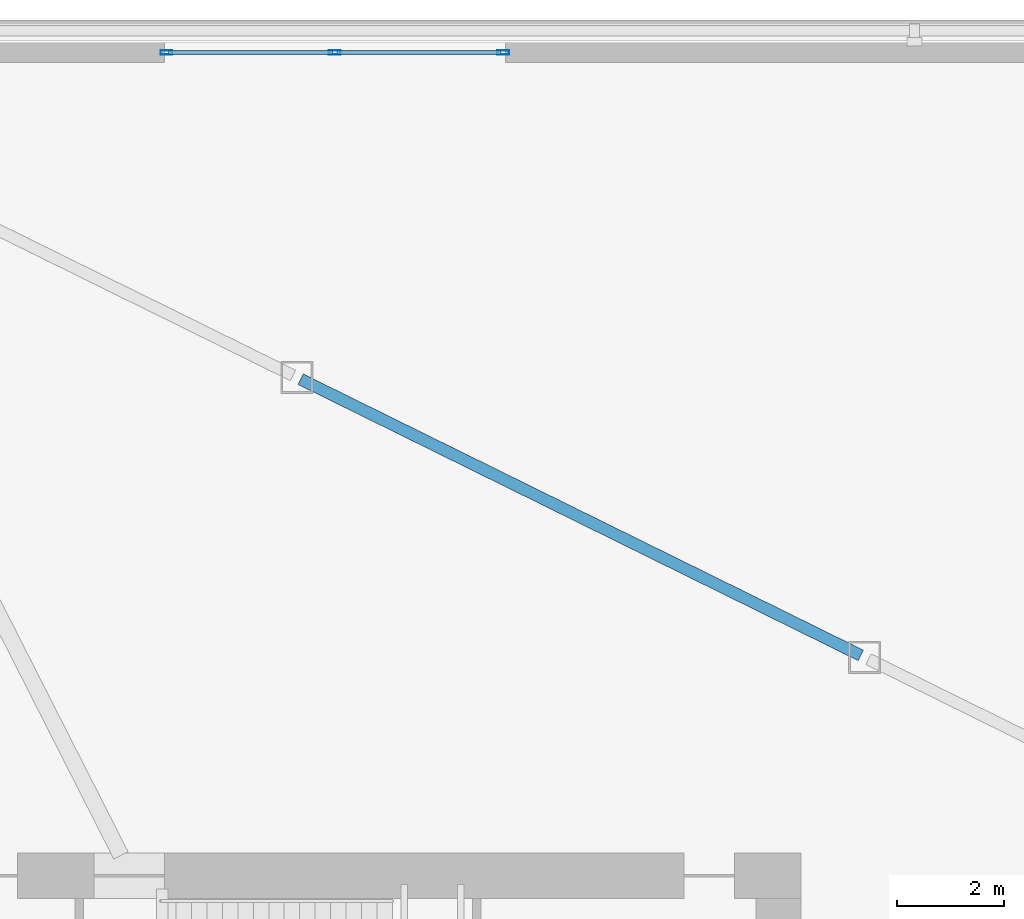
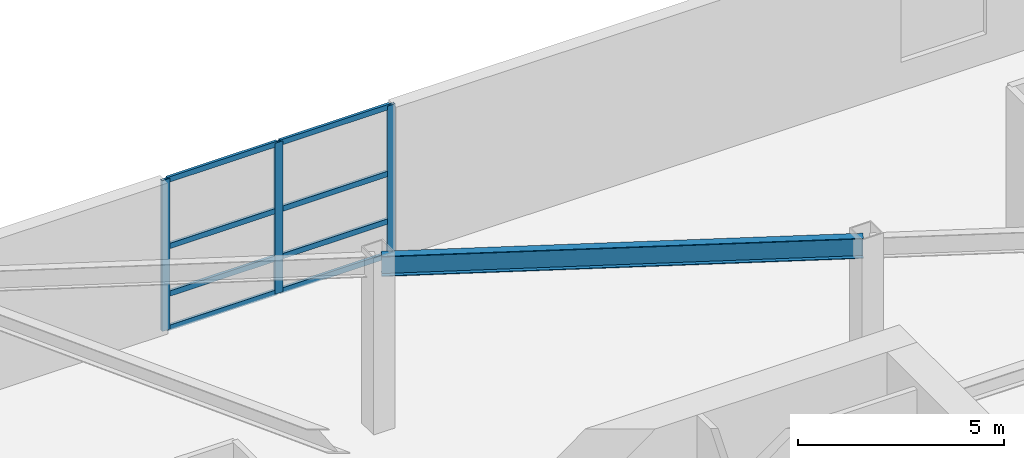
# One storey, part 6 of 15: 11 members, 1 beam, 1 element without a shape of its own.
"""IFC4 building model written with IfcOpenShell, lengths in metres."""

from ifc_helpers import new_model, si_unit, direction, frame, origin, origin_2d, place, context, subcontext, project, spatial, hollow_rectangle, i_section, extrude, source, transform, mapped, material, material_profile, profile_set, type_object, element, aggregate, save


model = new_model("IFC4")

# Units and contexts
model_context = context("Model", 3, precision=1e-05, world=origin(), true_north=direction((0.0, 1.0)))
body_context = subcontext(model_context, "Body", "Model", "MODEL_VIEW")
ifc_project = project(units=[si_unit("LENGTHUNIT", "METRE"), si_unit("AREAUNIT", "SQUARE_METRE"), si_unit("VOLUMEUNIT", "CUBIC_METRE"), si_unit("PLANEANGLEUNIT", "RADIAN"), si_unit("MASSUNIT", "GRAM", prefix="KILO")], contexts=[model_context])

# Site, building, storey
site_placement = place(None, origin())
site = spatial("IfcSite", under=ifc_project, at=site_placement, CompositionType="ELEMENT")
building_placement = place(site_placement, origin())
building = spatial("IfcBuilding", under=site, at=building_placement, Name="Olszyna Solenne Hotel", CompositionType="ELEMENT")
storey_placement = place(building_placement, frame((0.0, 0.0, 10.199951171875)))
storey = spatial("IfcBuildingStorey", under=building, at=storey_placement, Name="L02", CompositionType="ELEMENT", Elevation=10.199951171875)

# Beam
ifc_material_1 = material(Name="Steel S355J2", Category="steel")
ifc_material_profile_1 = material_profile(ifc_material_1, i_section(OverallWidth=0.219970703125, OverallDepth=0.60009765625, WebThickness=0.011962890625, FlangeThickness=0.01904296875, at=origin_2d()), Name="IPE 600", Category="load-bearing")
ifc_profile_set_1 = profile_set([ifc_material_profile_1], Name="Steel S355J2")
beam_type = type_object("IfcBeamType", Name="BM-F1", PredefinedType="BEAM", material=ifc_profile_set_1)
shared_shape_1 = source(origin(), body_context, "Body", "SweptSolid", [
    extrude(i_section(OverallWidth=0.219970703125, OverallDepth=0.60009765625, WebThickness=0.011962890625, FlangeThickness=0.01904296875, at=origin_2d()), origin(), (0.0, 0.0, 1.0), 11.718017578125),
])
beam_placement = place(storey_placement, frame((47.868896484375, 38.2578125, 4.780029296875), z_axis=(-0.896909246916, 0.442214656921, 0.0), x_axis=(-0.442214656921, -0.896909246916, 0.0)))
element("IfcBeam", 1, at=beam_placement, inside=storey, type_object=beam_type, Name="Podium ring girder BM-F1 BRG-L02-23", PredefinedType="BEAM", context=body_context, shape_type="MappedRepresentation", body=[
    mapped(shared_shape_1, transform((0.0, 0.0, 0.0), x_axis=(1.0, 0.0, 0.0), y_axis=(0.0, 1.0, 0.0), z_axis=(0.0, 0.0, 1.0), scale=1.0)),
])

# Curtain wall, members
ifc_material_2 = material(Name="Anodised bronze aluminium", Category="aluminium")
curtain_wall_type = type_object("IfcCurtainWallType", Name="CW-SYS-1", PredefinedType="NOTDEFINED", material=ifc_material_2)
curtain_wall_placement = place(storey_placement, origin())
curtain_wall = element("IfcCurtainWall", 2, at=curtain_wall_placement, inside=storey, type_object=curtain_wall_type, Name="Unitised curtain wall CW-SYS-1 CW-L02-02", PredefinedType="NOTDEFINED")
ifc_material_profile_2 = material_profile(ifc_material_2, hollow_rectangle(XDim=0.074951171875, YDim=0.159912109375, WallThickness=0.00390625, at=origin_2d()), Name="TRAN 160x75x4", Category="load-bearing")
ifc_profile_set_2 = profile_set([ifc_material_profile_2], Name="Anodised bronze aluminium")
member_type_1 = type_object("IfcMemberType", Name="CW-T1", PredefinedType="USERDEFINED", material=ifc_profile_set_2)
shared_shape_2 = source(origin(), body_context, "Body", "SweptSolid", [
    extrude(hollow_rectangle(XDim=0.074951171875, YDim=0.159912109375, WallThickness=0.00390625, at=origin_2d()), origin(), (0.0, 0.0, 1.0), 3.080078125),
])
member_1_placement = place(storey_placement, frame((34.8798828125, 49.570068359375, 0.03759765625), z_axis=(1.0, 0.0, 0.0), x_axis=(0.0, 1.0, 0.0)))
member_1 = element("IfcMember", 3, at=member_1_placement, type_object=member_type_1, Name="Curtain-wall transom CW-T1 CT-L02-02-01", ObjectType="TRANSOM", PredefinedType="USERDEFINED", context=body_context, shape_type="MappedRepresentation", body=[
    mapped(shared_shape_2, transform((0.0, 0.0, 0.0), x_axis=(1.0, 0.0, 0.0), y_axis=(0.0, 1.0, 0.0), z_axis=(0.0, 0.0, 1.0), scale=1.0)),
])
member_2_placement = place(storey_placement, frame((34.8798828125, 49.570068359375, 1.050048828125), z_axis=(1.0, 0.0, 0.0), x_axis=(0.0, 1.0, 0.0)))
member_2 = element("IfcMember", 4, at=member_2_placement, type_object=member_type_1, Name="Curtain-wall transom CW-T1 CT-L02-02-02", ObjectType="TRANSOM", PredefinedType="USERDEFINED", context=body_context, shape_type="MappedRepresentation", body=[
    mapped(shared_shape_2, transform((0.0, 0.0, 0.0), x_axis=(1.0, 0.0, 0.0), y_axis=(0.0, 1.0, 0.0), z_axis=(0.0, 0.0, 1.0), scale=1.0)),
])
member_3_placement = place(storey_placement, frame((34.8798828125, 49.570068359375, 2.459716796875), z_axis=(1.0, 0.0, 0.0), x_axis=(0.0, 1.0, 0.0)))
member_3 = element("IfcMember", 5, at=member_3_placement, type_object=member_type_1, Name="Curtain-wall transom CW-T1 CT-L02-02-03", ObjectType="TRANSOM", PredefinedType="USERDEFINED", context=body_context, shape_type="MappedRepresentation", body=[
    mapped(shared_shape_2, transform((0.0, 0.0, 0.0), x_axis=(1.0, 0.0, 0.0), y_axis=(0.0, 1.0, 0.0), z_axis=(0.0, 0.0, 1.0), scale=1.0)),
])
member_4_placement = place(storey_placement, frame((34.8798828125, 49.570068359375, 4.4345703125), z_axis=(1.0, 0.0, 0.0), x_axis=(0.0, 1.0, 0.0)))
member_4 = element("IfcMember", 6, at=member_4_placement, type_object=member_type_1, Name="Curtain-wall transom CW-T1 CT-L02-02-04", ObjectType="TRANSOM", PredefinedType="USERDEFINED", context=body_context, shape_type="MappedRepresentation", body=[
    mapped(shared_shape_2, transform((0.0, 0.0, 0.0), x_axis=(1.0, 0.0, 0.0), y_axis=(0.0, 1.0, 0.0), z_axis=(0.0, 0.0, 1.0), scale=1.0)),
])
member_5_placement = place(storey_placement, frame((38.0400390625, 49.570068359375, 0.03759765625), z_axis=(1.0, 0.0, 0.0), x_axis=(0.0, 1.0, 0.0)))
member_5 = element("IfcMember", 7, at=member_5_placement, type_object=member_type_1, Name="Curtain-wall transom CW-T1 CT-L02-02-05", ObjectType="TRANSOM", PredefinedType="USERDEFINED", context=body_context, shape_type="MappedRepresentation", body=[
    mapped(shared_shape_2, transform((0.0, 0.0, 0.0), x_axis=(1.0, 0.0, 0.0), y_axis=(0.0, 1.0, 0.0), z_axis=(0.0, 0.0, 1.0), scale=1.0)),
])
member_6_placement = place(storey_placement, frame((38.0400390625, 49.570068359375, 1.050048828125), z_axis=(1.0, 0.0, 0.0), x_axis=(0.0, 1.0, 0.0)))
member_6 = element("IfcMember", 8, at=member_6_placement, type_object=member_type_1, Name="Curtain-wall transom CW-T1 CT-L02-02-06", ObjectType="TRANSOM", PredefinedType="USERDEFINED", context=body_context, shape_type="MappedRepresentation", body=[
    mapped(shared_shape_2, transform((0.0, 0.0, 0.0), x_axis=(1.0, 0.0, 0.0), y_axis=(0.0, 1.0, 0.0), z_axis=(0.0, 0.0, 1.0), scale=1.0)),
])
member_7_placement = place(storey_placement, frame((38.0400390625, 49.570068359375, 2.459716796875), z_axis=(1.0, 0.0, 0.0), x_axis=(0.0, 1.0, 0.0)))
member_7 = element("IfcMember", 9, at=member_7_placement, type_object=member_type_1, Name="Curtain-wall transom CW-T1 CT-L02-02-07", ObjectType="TRANSOM", PredefinedType="USERDEFINED", context=body_context, shape_type="MappedRepresentation", body=[
    mapped(shared_shape_2, transform((0.0, 0.0, 0.0), x_axis=(1.0, 0.0, 0.0), y_axis=(0.0, 1.0, 0.0), z_axis=(0.0, 0.0, 1.0), scale=1.0)),
])
member_8_placement = place(storey_placement, frame((38.0400390625, 49.570068359375, 4.4345703125), z_axis=(1.0, 0.0, 0.0), x_axis=(0.0, 1.0, 0.0)))
member_8 = element("IfcMember", 10, at=member_8_placement, type_object=member_type_1, Name="Curtain-wall transom CW-T1 CT-L02-02-08", ObjectType="TRANSOM", PredefinedType="USERDEFINED", context=body_context, shape_type="MappedRepresentation", body=[
    mapped(shared_shape_2, transform((0.0, 0.0, 0.0), x_axis=(1.0, 0.0, 0.0), y_axis=(0.0, 1.0, 0.0), z_axis=(0.0, 0.0, 1.0), scale=1.0)),
])
ifc_material_profile_3 = material_profile(ifc_material_2, hollow_rectangle(XDim=0.080078125, YDim=0.219970703125, WallThickness=0.0048828125, at=origin_2d()), Name="MULL 220x80x5", Category="load-bearing")
ifc_profile_set_3 = profile_set([ifc_material_profile_3], Name="Anodised bronze aluminium")
member_type_2 = type_object("IfcMemberType", Name="CW-M1", PredefinedType="MULLION", material=ifc_profile_set_3)
shared_shape_3 = source(origin(), body_context, "Body", "SweptSolid", [
    extrude(hollow_rectangle(XDim=0.080078125, YDim=0.219970703125, WallThickness=0.0048828125, at=origin_2d()), origin(), (0.0, 0.0, 1.0), 4.47216796875),
])
member_9_placement = place(storey_placement, frame((34.840087890625, 49.570068359375, 0.0), z_axis=(0.0, 0.0, 1.0), x_axis=(0.0, 1.0, 0.0)))
member_9 = element("IfcMember", 11, at=member_9_placement, type_object=member_type_2, Name="Curtain-wall mullion CW-M1 CM-L02-02-01", PredefinedType="MULLION", context=body_context, shape_type="MappedRepresentation", body=[
    mapped(shared_shape_3, transform((0.0, 0.0, 0.0), x_axis=(1.0, 0.0, 0.0), y_axis=(0.0, 1.0, 0.0), z_axis=(0.0, 0.0, 1.0), scale=1.0)),
])
member_10_placement = place(storey_placement, frame((38.0, 49.570068359375, 0.0), z_axis=(0.0, 0.0, 1.0), x_axis=(0.0, 1.0, 0.0)))
member_10 = element("IfcMember", 12, at=member_10_placement, type_object=member_type_2, Name="Curtain-wall mullion CW-M1 CM-L02-02-02", PredefinedType="MULLION", context=body_context, shape_type="MappedRepresentation", body=[
    mapped(shared_shape_3, transform((0.0, 0.0, 0.0), x_axis=(1.0, 0.0, 0.0), y_axis=(0.0, 1.0, 0.0), z_axis=(0.0, 0.0, 1.0), scale=1.0)),
])
member_11_placement = place(storey_placement, frame((41.159912109375, 49.570068359375, 0.0), z_axis=(0.0, 0.0, 1.0), x_axis=(0.0, 1.0, 0.0)))
member_11 = element("IfcMember", 13, at=member_11_placement, type_object=member_type_2, Name="Curtain-wall mullion CW-M1 CM-L02-02-03", PredefinedType="MULLION", context=body_context, shape_type="MappedRepresentation", body=[
    mapped(shared_shape_3, transform((0.0, 0.0, 0.0), x_axis=(1.0, 0.0, 0.0), y_axis=(0.0, 1.0, 0.0), z_axis=(0.0, 0.0, 1.0), scale=1.0)),
])
aggregate(curtain_wall, [member_9, member_10, member_11, member_1, member_2, member_3, member_4, member_5, member_6, member_7, member_8])

save(model, "model.ifc")
